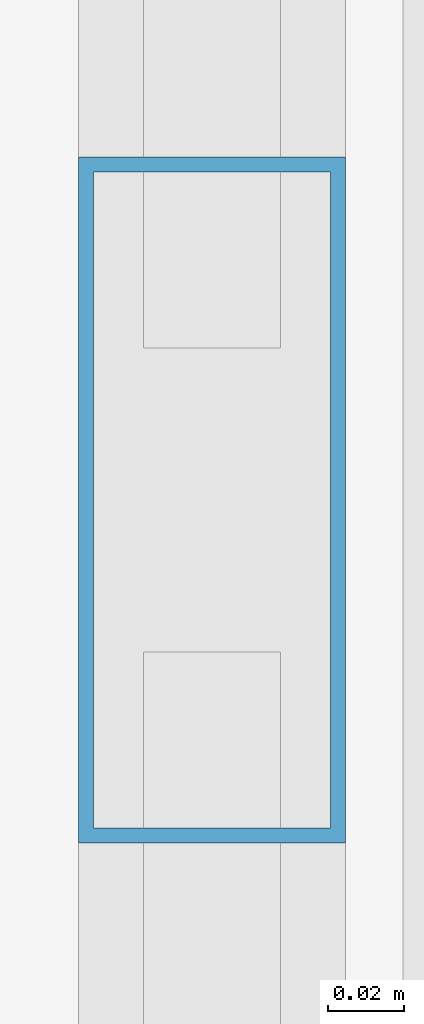
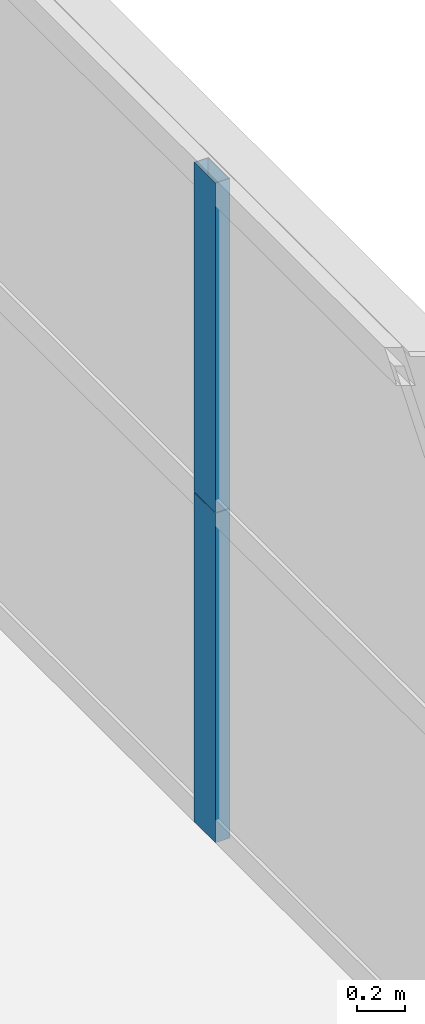
# One storey, part 18 of 39: 2 members, 1 element without a shape of its own.
"""IFC4 building model written with IfcOpenShell, lengths in metres."""

from ifc_helpers import new_model, si_unit, direction, frame, origin, origin_2d, place, context, subcontext, project, spatial, hollow_rectangle, extrude, source, transform, mapped, material, layer, layer_set, material_profile, profile_set, type_object, element, aggregate, save


model = new_model("IFC4")

# Units and contexts
model_context = context("Model", 3, precision=1e-05, world=origin(), true_north=direction((0.0, 1.0)))
body_context = subcontext(model_context, "Body", "Model", "MODEL_VIEW")
ifc_project = project(units=[si_unit("LENGTHUNIT", "METRE"), si_unit("AREAUNIT", "SQUARE_METRE"), si_unit("VOLUMEUNIT", "CUBIC_METRE"), si_unit("PLANEANGLEUNIT", "RADIAN"), si_unit("MASSUNIT", "GRAM", prefix="KILO"), si_unit("THERMODYNAMICTEMPERATUREUNIT", "KELVIN"), si_unit("POWERUNIT", "WATT")], contexts=[model_context])

# Site, building, storey
site_placement = place(None, origin())
site = spatial("IfcSite", under=ifc_project, at=site_placement, CompositionType="ELEMENT")
building_placement = place(site_placement, origin())
building = spatial("IfcBuilding", under=site, at=building_placement, Name="Yuzanri Waterfront Tower", CompositionType="ELEMENT")
storey_placement = place(building_placement, frame((0.0, 0.0, 156.0)))
storey = spatial("IfcBuildingStorey", under=building, at=storey_placement, Name="L41", CompositionType="ELEMENT", Elevation=156.0)

# Curtain wall, members
ifc_material_1 = material(Name="Anodized Architectural Bronze", Category="metal")
ifc_layer = layer(ifc_material_1, 0.159912109375)
ifc_layer_set = layer_set([ifc_layer], Name="Anodized Architectural Bronze")
curtain_wall_type = type_object("IfcCurtainWallType", Name="Anodized Bronze Hotel Upper-Tier Solar-Control Unitized Curtain Wall 7800", PredefinedType="NOTDEFINED", material=ifc_layer_set)
curtain_wall_placement = place(storey_placement, origin())
curtain_wall = element("IfcCurtainWall", 1, at=curtain_wall_placement, inside=storey, type_object=curtain_wall_type, Name="L41 Curtain Wall CW-L41-EL", PredefinedType="NOTDEFINED")
ifc_material_2 = material(Name="Anodized Architectural Bronze", Category="metal")
ifc_material_profile = material_profile(ifc_material_2, hollow_rectangle(XDim=0.070068359375, YDim=0.179931640625, WallThickness=0.00390625, at=origin_2d()), Name="CWM 70x180")
ifc_profile_set = profile_set([ifc_material_profile], Name="Anodized Architectural Bronze")
member_type = type_object("IfcMemberType", Name="Anodized Bronze Standard Curtain-Wall Mullion 70x180", PredefinedType="MULLION", material=ifc_profile_set)
shared_shape = source(origin(), body_context, "Body", "SweptSolid", [
    extrude(hollow_rectangle(XDim=0.070068359375, YDim=0.179931640625, WallThickness=0.00390625, at=origin_2d()), origin(), (0.0, 0.0, 1.0), 1.68798828125),
])
member_1_placement = place(storey_placement, frame((60.449951171875, 17.449951171875, 0.0), z_axis=(0.0, 0.0, 1.0), x_axis=(1.0, 0.0, 0.0)))
member_1 = element("IfcMember", 2, at=member_1_placement, type_object=member_type, Name="CW-L41-EL Lower Mullion 01", PredefinedType="MULLION", context=body_context, shape_type="MappedRepresentation", body=[
    mapped(shared_shape, transform((0.0, 0.0, 0.0), scale=1.0)),
])
member_2_placement = place(storey_placement, frame((60.449951171875, 17.449951171875, 1.69189453125), z_axis=(0.0, 0.0, 1.0), x_axis=(1.0, 0.0, 0.0)))
member_2 = element("IfcMember", 3, at=member_2_placement, type_object=member_type, Name="CW-L41-EL Upper Mullion 01", PredefinedType="MULLION", context=body_context, shape_type="MappedRepresentation", body=[
    mapped(shared_shape, transform((0.0, 0.0, 0.0), scale=1.0)),
])
aggregate(curtain_wall, [member_1, member_2])

save(model, "model.ifc")
